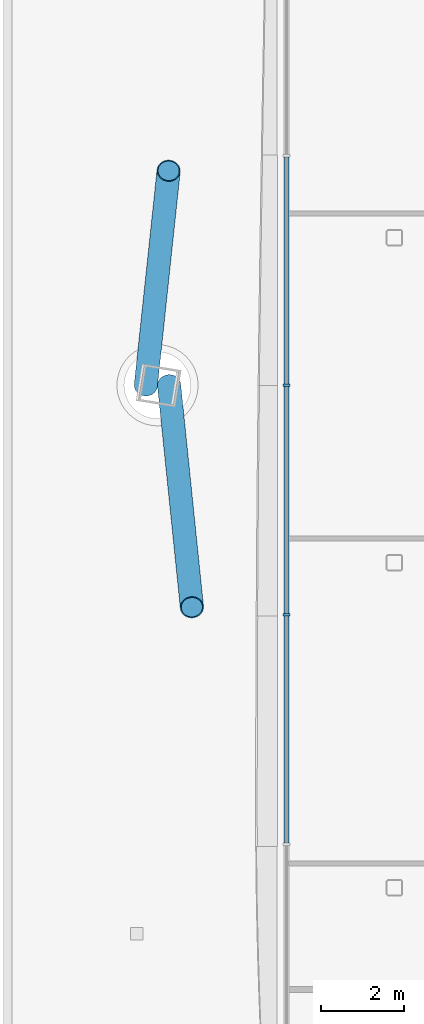
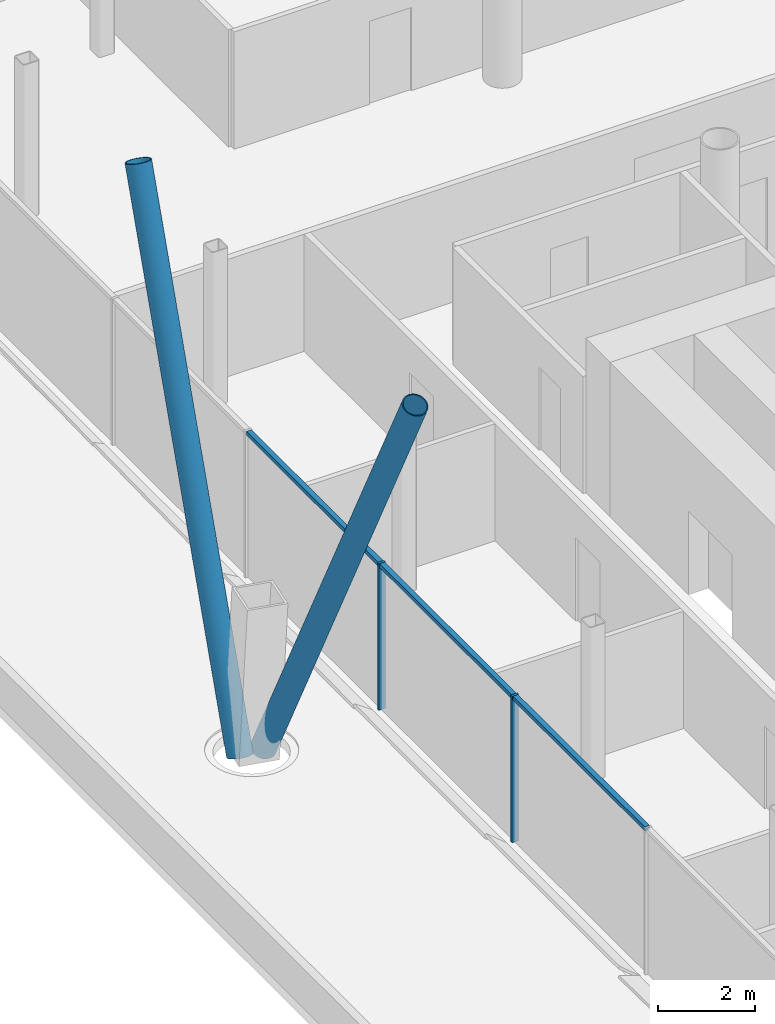
# One storey, part 5 of 23: 7 members, 1 element without a shape of its own.
"""IFC4 building model written with IfcOpenShell, lengths in metres."""

from ifc_helpers import new_model, si_unit, direction, frame, origin, origin_2d, place, context, subcontext, project, spatial, rectangle, hollow_circle, extrude, material, material_profile, profile_set, type_object, element, aggregate, save


model = new_model("IFC4")

# Units and contexts
model_context = context("Model", 3, precision=1e-05, world=origin(), true_north=direction((0.0, 1.0)))
body_context = subcontext(model_context, "Body", "Model", "MODEL_VIEW")
ifc_project = project(units=[si_unit("LENGTHUNIT", "METRE"), si_unit("AREAUNIT", "SQUARE_METRE"), si_unit("VOLUMEUNIT", "CUBIC_METRE"), si_unit("PLANEANGLEUNIT", "RADIAN"), si_unit("MASSUNIT", "GRAM", prefix="KILO")], contexts=[model_context])

# Site, building, storey
site_placement = place(None, origin())
site = spatial("IfcSite", under=ifc_project, at=site_placement, CompositionType="ELEMENT")
building_placement = place(site_placement, origin())
building = spatial("IfcBuilding", under=site, at=building_placement, Name="Tskaro Facet Tower", CompositionType="ELEMENT")
storey_placement = place(building_placement, frame((0.0, 0.0, 62.10009765625)))
storey = spatial("IfcBuildingStorey", under=building, at=storey_placement, Name="L14", CompositionType="ELEMENT", Elevation=62.10009765625)

# Members
ifc_material_1 = material(Name="Steel S355J2H", Category="steel")
ifc_material_profile_1 = material_profile(ifc_material_1, hollow_circle(Radius=0.279541015625, WallThickness=0.02490234375, at=origin_2d()), Name="CHS 559x25")
ifc_profile_set_1 = profile_set([ifc_material_profile_1], Name="Steel S355J2H")
member_type_1 = type_object("IfcMemberType", Name="CHS 559x25 brace", PredefinedType="BRACE", material=ifc_profile_set_1)
member_1_placement = place(storey_placement, frame((-25.9384765625, -0.47802734375, 0.0), z_axis=(0.042830293979, 0.402814622306, 0.914278921322), x_axis=(-0.994394709147, 0.105731558304, 0.0)))
element("IfcMember", 1, at=member_1_placement, inside=storey, type_object=member_type_1, Name="CHS 559x25 XB10B/2", PredefinedType="BRACE", context=body_context, shape_type="SweptSolid", body=[
    extrude(hollow_circle(Radius=0.279541015625, WallThickness=0.02490234375, at=origin_2d()), origin(), (0.0, 0.0, 1.0), 12.796875),
])
member_2_placement = place(storey_placement, frame((-25.37939453125, -0.47802734375, 0.0), z_axis=(0.042567326105, -0.414462347628, 0.909070396145), x_axis=(0.994767210337, 0.102167495995, 0.0)))
element("IfcMember", 2, at=member_2_placement, inside=storey, type_object=member_type_1, Name="CHS 559x25 XB11A/2", PredefinedType="BRACE", context=body_context, shape_type="SweptSolid", body=[
    extrude(hollow_circle(Radius=0.279541015625, WallThickness=0.02490234375, at=origin_2d()), origin(), (0.0, 0.0, 1.0), 12.8701171875),
])

# Curtain wall, members
ifc_material_2 = material(Name="Bronze anodised aluminium 6063-T6", Category="aluminium")
curtain_wall_type = type_object("IfcCurtainWallType", Name="Bronze office curtain wall (FW1)", PredefinedType="NOTDEFINED", material=ifc_material_2)
curtain_wall_placement = place(storey_placement, origin())
curtain_wall = element("IfcCurtainWall", 3, at=curtain_wall_placement, inside=storey, type_object=curtain_wall_type, Name="FW1 west facet L14", PredefinedType="NOTDEFINED")
ifc_material_profile_2 = material_profile(ifc_material_2, rectangle(XDim=0.06005859375, YDim=0.159912109375, at=origin_2d()), Name="Mullion 60x160")
ifc_profile_set_2 = profile_set([ifc_material_profile_2], Name="Bronze anodised aluminium 6063-T6")
member_type_2 = type_object("IfcMemberType", Name="FW1 bronze mullion 60x160", PredefinedType="MULLION", material=ifc_profile_set_2)
member_3_placement = place(storey_placement, frame((-22.55908203125, -0.478515625, 0.0), z_axis=(0.0, 0.0, 1.0), x_axis=(0.0, -1.0, 0.0)))
member_3 = element("IfcMember", 4, at=member_3_placement, type_object=member_type_2, Name="FW1 west mullion 4", PredefinedType="MULLION", context=body_context, shape_type="SweptSolid", body=[
    extrude(rectangle(XDim=0.06005859375, YDim=0.159912109375, at=origin_2d()), origin(), (0.0, 0.0, 1.0), 3.699951171875),
])
member_4_placement = place(storey_placement, frame((-22.55908203125, -5.99169921875, 0.0), z_axis=(0.0, 0.0, 1.0), x_axis=(0.0, -1.0, 0.0)))
member_4 = element("IfcMember", 5, at=member_4_placement, type_object=member_type_2, Name="FW1 west mullion 5", PredefinedType="MULLION", context=body_context, shape_type="SweptSolid", body=[
    extrude(rectangle(XDim=0.06005859375, YDim=0.159912109375, at=origin_2d()), origin(), (0.0, 0.0, 1.0), 3.699951171875),
])
ifc_material_profile_3 = material_profile(ifc_material_2, rectangle(XDim=0.1201171875, YDim=0.10009765625, at=origin_2d()), Name="Transom 120x100")
ifc_profile_set_3 = profile_set([ifc_material_profile_3], Name="Bronze anodised aluminium 6063-T6")
member_type_3 = type_object("IfcMemberType", Name="FW1 bronze transom 120x100", PredefinedType="USERDEFINED", material=ifc_profile_set_3)
member_5_placement = place(storey_placement, frame((-22.55908203125, 5.004638671875, 3.64990234375), z_axis=(0.0, -1.0, 0.0), x_axis=(1.0, 0.0, 0.0)))
member_5 = element("IfcMember", 6, at=member_5_placement, type_object=member_type_3, Name="FW1 west transom 4.1", ObjectType="TRANSOM", PredefinedType="USERDEFINED", context=body_context, shape_type="SweptSolid", body=[
    extrude(rectangle(XDim=0.1201171875, YDim=0.10009765625, at=origin_2d()), origin(), (0.0, 0.0, 1.0), 5.453125),
])
member_6_placement = place(storey_placement, frame((-22.55908203125, -0.508544921875, 3.64990234375), z_axis=(0.0, -1.0, 0.0), x_axis=(1.0, 0.0, 0.0)))
member_6 = element("IfcMember", 7, at=member_6_placement, type_object=member_type_3, Name="FW1 west transom 5.1", ObjectType="TRANSOM", PredefinedType="USERDEFINED", context=body_context, shape_type="SweptSolid", body=[
    extrude(rectangle(XDim=0.1201171875, YDim=0.10009765625, at=origin_2d()), origin(), (0.0, 0.0, 1.0), 5.453125),
])
member_7_placement = place(storey_placement, frame((-22.55908203125, -6.021728515625, 3.64990234375), z_axis=(0.0, -1.0, 0.0), x_axis=(1.0, 0.0, 0.0)))
member_7 = element("IfcMember", 8, at=member_7_placement, type_object=member_type_3, Name="FW1 west transom 6.1", ObjectType="TRANSOM", PredefinedType="USERDEFINED", context=body_context, shape_type="SweptSolid", body=[
    extrude(rectangle(XDim=0.1201171875, YDim=0.10009765625, at=origin_2d()), origin(), (0.0, 0.0, 1.0), 5.453125),
])
aggregate(curtain_wall, [member_3, member_4, member_5, member_6, member_7])

save(model, "model.ifc")
